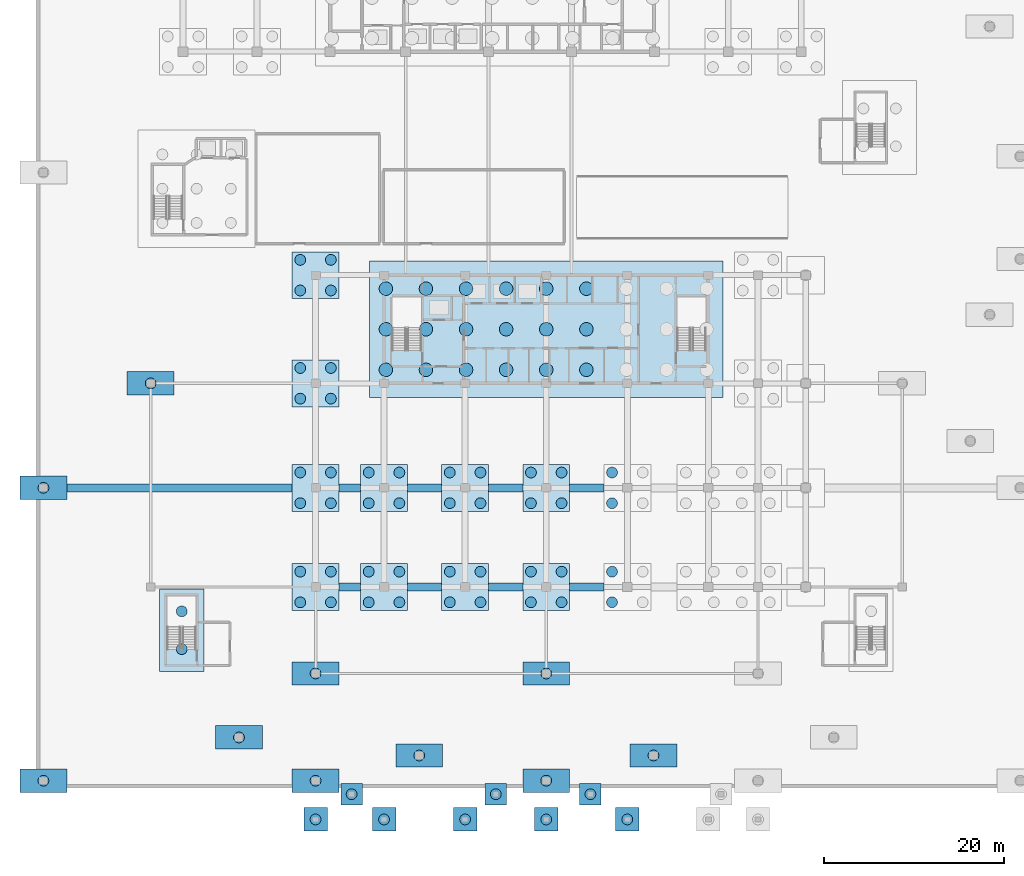
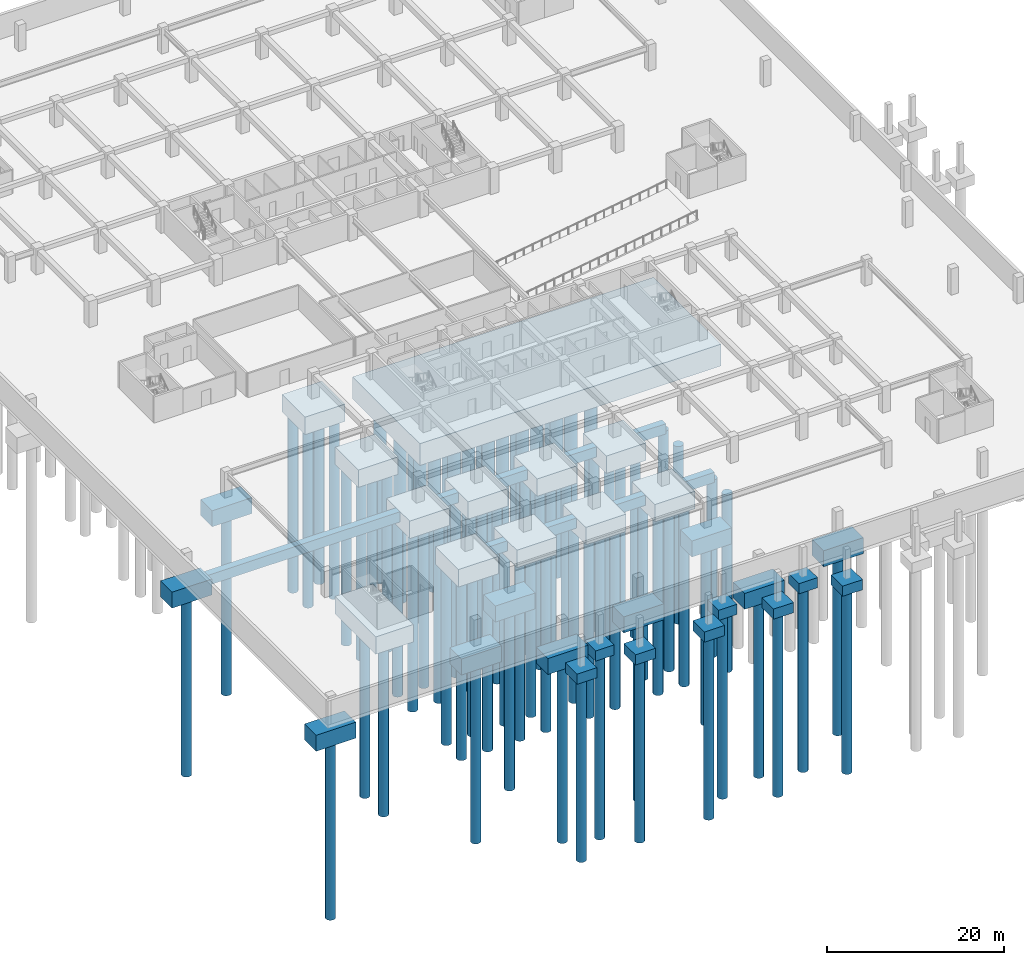
# One storey, part 1 of 26: 82 piles, 39 footings.
"""IFC4 building model written with IfcOpenShell, lengths in metres."""

from ifc_helpers import new_model, si_unit, direction, frame, origin, origin_2d, place, context, subcontext, project, spatial, polyline, circle, outline, extrude, material, layer, layer_set, material_profile, profile_set, type_object, element, save


model = new_model("IFC4")

# Units and contexts
model_context = context("Model", 3, precision=1e-05, world=origin(), true_north=direction((0.0, 1.0)))
body_context = subcontext(model_context, "Body", "Model", "MODEL_VIEW")
ifc_project = project(units=[si_unit("LENGTHUNIT", "METRE"), si_unit("AREAUNIT", "SQUARE_METRE"), si_unit("VOLUMEUNIT", "CUBIC_METRE"), si_unit("PLANEANGLEUNIT", "RADIAN"), si_unit("MASSUNIT", "GRAM", prefix="KILO")], contexts=[model_context])

# Site, building, storey
site_placement = place(None, origin())
site = spatial("IfcSite", under=ifc_project, at=site_placement, CompositionType="ELEMENT")
building_placement = place(site_placement, origin())
building = spatial("IfcBuilding", under=site, at=building_placement, Name="Korimba Cascade Residences", CompositionType="ELEMENT")
storey_placement = place(building_placement, frame((0.0, 0.0, -10.800048828125)))
storey = spatial("IfcBuildingStorey", under=building, at=storey_placement, Name="B03", CompositionType="ELEMENT", Elevation=-10.800048828125)

# Footings
ifc_material = material(Name="Concrete C50/60", Category="concrete")
ifc_layer_1 = layer(ifc_material, 1.39990234375)
ifc_layer_set_1 = layer_set([ifc_layer_1], Name="Concrete C50/60")
footing_type_1 = type_object("IfcFootingType", Name="GB-900X1400", PredefinedType="FOOTING_BEAM", material=ifc_layer_set_1)
footing_1_placement = place(storey_placement, frame((0.0, 0.0, -1.849853515625)))
element("IfcFooting", 1, at=footing_1_placement, inside=storey, type_object=footing_type_1, Name="Ground Tie Beam GB-018", PredefinedType="FOOTING_BEAM", context=body_context, shape_type="SweptSolid", body=[
    extrude(outline(polyline([(77.10009765625, -4.64990234375), (79.5, -4.64990234375), (79.5, -3.75), (77.10009765625, -3.75), (77.10009765625, -4.64990234375)])), origin(), (0.0, 0.0, 1.0), 1.39990234375),
])
footing_2_placement = place(storey_placement, frame((0.0, 0.0, -1.849853515625)))
element("IfcFooting", 2, at=footing_2_placement, inside=storey, type_object=footing_type_1, Name="Ground Tie Beam GB-019", PredefinedType="FOOTING_BEAM", context=body_context, shape_type="SweptSolid", body=[
    extrude(outline(polyline([(84.699951171875, -4.64990234375), (88.5, -4.64990234375), (88.5, -3.75), (84.699951171875, -3.75), (84.699951171875, -4.64990234375)])), origin(), (0.0, 0.0, 1.0), 1.39990234375),
])
footing_3_placement = place(storey_placement, frame((0.0, 0.0, -1.849853515625)))
element("IfcFooting", 3, at=footing_3_placement, inside=storey, type_object=footing_type_1, Name="Ground Tie Beam GB-020", PredefinedType="FOOTING_BEAM", context=body_context, shape_type="SweptSolid", body=[
    extrude(outline(polyline([(93.699951171875, -4.64990234375), (97.5, -4.64990234375), (97.5, -3.75), (93.699951171875, -3.75), (93.699951171875, -4.64990234375)])), origin(), (0.0, 0.0, 1.0), 1.39990234375),
])
footing_4_placement = place(storey_placement, frame((0.0, 0.0, -1.849853515625)))
element("IfcFooting", 4, at=footing_4_placement, inside=storey, type_object=footing_type_1, Name="Ground Tie Beam GB-021", PredefinedType="FOOTING_BEAM", context=body_context, shape_type="SweptSolid", body=[
    extrude(outline(polyline([(102.699951171875, -4.64990234375), (106.5, -4.64990234375), (106.5, -3.75), (102.699951171875, -3.75), (102.699951171875, -4.64990234375)])), origin(), (0.0, 0.0, 1.0), 1.39990234375),
])
footing_5_placement = place(storey_placement, frame((0.0, 0.0, -1.849853515625)))
element("IfcFooting", 5, at=footing_5_placement, inside=storey, type_object=footing_type_1, Name="Ground Tie Beam GB-023", PredefinedType="FOOTING_BEAM", context=body_context, shape_type="SweptSolid", body=[
    extrude(outline(polyline([(46.89990234375, 6.35009765625), (71.89990234375, 6.35009765625), (71.89990234375, 7.25), (46.89990234375, 7.25), (46.89990234375, 6.35009765625)])), origin(), (0.0, 0.0, 1.0), 1.39990234375),
])
footing_6_placement = place(storey_placement, frame((0.0, 0.0, -1.849853515625)))
element("IfcFooting", 6, at=footing_6_placement, inside=storey, type_object=footing_type_1, Name="Ground Tie Beam GB-024", PredefinedType="FOOTING_BEAM", context=body_context, shape_type="SweptSolid", body=[
    extrude(outline(polyline([(77.10009765625, 6.35009765625), (79.5, 6.35009765625), (79.5, 7.25), (77.10009765625, 7.25), (77.10009765625, 6.35009765625)])), origin(), (0.0, 0.0, 1.0), 1.39990234375),
])
footing_7_placement = place(storey_placement, frame((0.0, 0.0, -1.849853515625)))
element("IfcFooting", 7, at=footing_7_placement, inside=storey, type_object=footing_type_1, Name="Ground Tie Beam GB-025", PredefinedType="FOOTING_BEAM", context=body_context, shape_type="SweptSolid", body=[
    extrude(outline(polyline([(84.699951171875, 6.35009765625), (88.5, 6.35009765625), (88.5, 7.25), (84.699951171875, 7.25), (84.699951171875, 6.35009765625)])), origin(), (0.0, 0.0, 1.0), 1.39990234375),
])
footing_8_placement = place(storey_placement, frame((0.0, 0.0, -1.849853515625)))
element("IfcFooting", 8, at=footing_8_placement, inside=storey, type_object=footing_type_1, Name="Ground Tie Beam GB-026", PredefinedType="FOOTING_BEAM", context=body_context, shape_type="SweptSolid", body=[
    extrude(outline(polyline([(93.699951171875, 6.35009765625), (97.5, 6.35009765625), (97.5, 7.25), (93.699951171875, 7.25), (93.699951171875, 6.35009765625)])), origin(), (0.0, 0.0, 1.0), 1.39990234375),
])
footing_9_placement = place(storey_placement, frame((0.0, 0.0, -1.849853515625)))
element("IfcFooting", 9, at=footing_9_placement, inside=storey, type_object=footing_type_1, Name="Ground Tie Beam GB-027", PredefinedType="FOOTING_BEAM", context=body_context, shape_type="SweptSolid", body=[
    extrude(outline(polyline([(102.699951171875, 6.35009765625), (106.5, 6.35009765625), (106.5, 7.25), (102.699951171875, 7.25), (102.699951171875, 6.35009765625)])), origin(), (0.0, 0.0, 1.0), 1.39990234375),
])
ifc_layer_2 = layer(ifc_material, 1.39990234375)
ifc_layer_set_2 = layer_set([ifc_layer_2], Name="Concrete C50/60")
footing_type_2 = type_object("IfcFootingType", Name="PAD-CANOPY", PredefinedType="PAD_FOOTING", material=ifc_layer_set_2)
footing_10_placement = place(storey_placement, frame((0.0, 0.0, -1.849853515625)))
element("IfcFooting", 10, at=footing_10_placement, inside=storey, type_object=footing_type_2, Name="Porte-Cochere Pad Footing PF-1", PredefinedType="PAD_FOOTING", context=body_context, shape_type="SweptSolid", body=[
    extrude(outline(polyline([(73.199951171875, -31.300048828125), (75.800048828125, -31.300048828125), (75.800048828125, -28.699951171875), (73.199951171875, -28.699951171875), (73.199951171875, -31.300048828125)])), origin(), (0.0, 0.0, 1.0), 1.39990234375),
])
footing_11_placement = place(storey_placement, frame((0.0, 0.0, -1.849853515625)))
element("IfcFooting", 11, at=footing_11_placement, inside=storey, type_object=footing_type_2, Name="Porte-Cochere Pad Footing PF-2", PredefinedType="PAD_FOOTING", context=body_context, shape_type="SweptSolid", body=[
    extrude(outline(polyline([(80.800048828125, -31.300048828125), (83.39990234375, -31.300048828125), (83.39990234375, -28.699951171875), (80.800048828125, -28.699951171875), (80.800048828125, -31.300048828125)])), origin(), (0.0, 0.0, 1.0), 1.39990234375),
])
footing_12_placement = place(storey_placement, frame((0.0, 0.0, -1.849853515625)))
element("IfcFooting", 12, at=footing_12_placement, inside=storey, type_object=footing_type_2, Name="Porte-Cochere Pad Footing PF-3", PredefinedType="PAD_FOOTING", context=body_context, shape_type="SweptSolid", body=[
    extrude(outline(polyline([(89.800048828125, -31.300048828125), (92.39990234375, -31.300048828125), (92.39990234375, -28.699951171875), (89.800048828125, -28.699951171875), (89.800048828125, -31.300048828125)])), origin(), (0.0, 0.0, 1.0), 1.39990234375),
])
footing_13_placement = place(storey_placement, frame((0.0, 0.0, -1.849853515625)))
element("IfcFooting", 13, at=footing_13_placement, inside=storey, type_object=footing_type_2, Name="Porte-Cochere Pad Footing PF-4", PredefinedType="PAD_FOOTING", context=body_context, shape_type="SweptSolid", body=[
    extrude(outline(polyline([(98.800048828125, -31.300048828125), (101.39990234375, -31.300048828125), (101.39990234375, -28.699951171875), (98.800048828125, -28.699951171875), (98.800048828125, -31.300048828125)])), origin(), (0.0, 0.0, 1.0), 1.39990234375),
])
footing_14_placement = place(storey_placement, frame((0.0, 0.0, -1.849853515625)))
element("IfcFooting", 14, at=footing_14_placement, inside=storey, type_object=footing_type_2, Name="Porte-Cochere Pad Footing PF-5", PredefinedType="PAD_FOOTING", context=body_context, shape_type="SweptSolid", body=[
    extrude(outline(polyline([(107.800048828125, -31.300048828125), (110.39990234375, -31.300048828125), (110.39990234375, -28.699951171875), (107.800048828125, -28.699951171875), (107.800048828125, -31.300048828125)])), origin(), (0.0, 0.0, 1.0), 1.39990234375),
])
footing_15_placement = place(storey_placement, frame((0.0, 0.0, -1.849853515625)))
element("IfcFooting", 15, at=footing_15_placement, inside=storey, type_object=footing_type_2, Name="Plaza Pad Footing PLZS1A", PredefinedType="PAD_FOOTING", context=body_context, shape_type="SweptSolid", body=[
    extrude(outline(polyline([(77.300048828125, -28.39990234375), (79.699951171875, -28.39990234375), (79.699951171875, -26.0), (77.300048828125, -26.0), (77.300048828125, -28.39990234375)])), origin(), (0.0, 0.0, 1.0), 1.39990234375),
])
footing_16_placement = place(storey_placement, frame((0.0, 0.0, -1.849853515625)))
element("IfcFooting", 16, at=footing_16_placement, inside=storey, type_object=footing_type_2, Name="Plaza Pad Footing PLZS1B", PredefinedType="PAD_FOOTING", context=body_context, shape_type="SweptSolid", body=[
    extrude(outline(polyline([(93.300048828125, -28.39990234375), (95.699951171875, -28.39990234375), (95.699951171875, -26.0), (93.300048828125, -26.0), (93.300048828125, -28.39990234375)])), origin(), (0.0, 0.0, 1.0), 1.39990234375),
])
footing_17_placement = place(storey_placement, frame((0.0, 0.0, -1.849853515625)))
element("IfcFooting", 17, at=footing_17_placement, inside=storey, type_object=footing_type_2, Name="Plaza Pad Footing PLZS2A", PredefinedType="PAD_FOOTING", context=body_context, shape_type="SweptSolid", body=[
    extrude(outline(polyline([(103.800048828125, -28.39990234375), (106.199951171875, -28.39990234375), (106.199951171875, -26.0), (103.800048828125, -26.0), (103.800048828125, -28.39990234375)])), origin(), (0.0, 0.0, 1.0), 1.39990234375),
])
ifc_layer_3 = layer(ifc_material, 2.199951171875)
ifc_layer_set_3 = layer_set([ifc_layer_3], Name="Concrete C50/60")
footing_type_3 = type_object("IfcFootingType", Name="PC-2PILE-P", PredefinedType="PILE_CAP", material=ifc_layer_set_3)
footing_18_placement = place(storey_placement, frame((0.0, 0.0, -2.64990234375)))
element("IfcFooting", 18, at=footing_18_placement, inside=storey, type_object=footing_type_3, Name="Column Pile Cap FTG-PC-042", PredefinedType="PILE_CAP", context=body_context, shape_type="SweptSolid", body=[
    extrude(outline(polyline([(53.60009765625, 17.10009765625), (58.800048828125, 17.10009765625), (58.800048828125, 19.699951171875), (53.60009765625, 19.699951171875), (53.60009765625, 17.10009765625)])), origin(), (0.0, 0.0, 1.0), 2.199951171875),
])
footing_19_placement = place(storey_placement, frame((0.0, 0.0, -2.64990234375)))
element("IfcFooting", 19, at=footing_19_placement, inside=storey, type_object=footing_type_3, Name="Column Pile Cap FTG-PC-045", PredefinedType="PILE_CAP", context=body_context, shape_type="SweptSolid", body=[
    extrude(outline(polyline([(71.89990234375, -15.10009765625), (77.10009765625, -15.10009765625), (77.10009765625, -12.5), (71.89990234375, -12.5), (71.89990234375, -15.10009765625)])), origin(), (0.0, 0.0, 1.0), 2.199951171875),
])
footing_20_placement = place(storey_placement, frame((0.0, 0.0, -2.64990234375)))
element("IfcFooting", 20, at=footing_20_placement, inside=storey, type_object=footing_type_3, Name="Column Pile Cap FTG-PC-046", PredefinedType="PILE_CAP", context=body_context, shape_type="SweptSolid", body=[
    extrude(outline(polyline([(97.5, -15.10009765625), (102.699951171875, -15.10009765625), (102.699951171875, -12.5), (97.5, -12.5), (97.5, -15.10009765625)])), origin(), (0.0, 0.0, 1.0), 2.199951171875),
])
footing_21_placement = place(storey_placement, frame((0.0, 0.0, -2.64990234375)))
element("IfcFooting", 21, at=footing_21_placement, inside=storey, type_object=footing_type_3, Name="Column Pile Cap FTG-PC-051", PredefinedType="PILE_CAP", context=body_context, shape_type="SweptSolid", body=[
    extrude(outline(polyline([(83.39990234375, -24.199951171875), (88.60009765625, -24.199951171875), (88.60009765625, -21.60009765625), (83.39990234375, -21.60009765625), (83.39990234375, -24.199951171875)])), origin(), (0.0, 0.0, 1.0), 2.199951171875),
])
footing_22_placement = place(storey_placement, frame((0.0, 0.0, -2.64990234375)))
element("IfcFooting", 22, at=footing_22_placement, inside=storey, type_object=footing_type_3, Name="Column Pile Cap FTG-PC-052", PredefinedType="PILE_CAP", context=body_context, shape_type="SweptSolid", body=[
    extrude(outline(polyline([(109.39990234375, -24.199951171875), (114.60009765625, -24.199951171875), (114.60009765625, -21.60009765625), (109.39990234375, -21.60009765625), (109.39990234375, -24.199951171875)])), origin(), (0.0, 0.0, 1.0), 2.199951171875),
])
footing_23_placement = place(storey_placement, frame((0.0, 0.0, -2.64990234375)))
element("IfcFooting", 23, at=footing_23_placement, inside=storey, type_object=footing_type_3, Name="Column Pile Cap FTG-PC-053", PredefinedType="PILE_CAP", context=body_context, shape_type="SweptSolid", body=[
    extrude(outline(polyline([(63.39990234375, -22.199951171875), (68.60009765625, -22.199951171875), (68.60009765625, -19.60009765625), (63.39990234375, -19.60009765625), (63.39990234375, -22.199951171875)])), origin(), (0.0, 0.0, 1.0), 2.199951171875),
])
footing_24_placement = place(storey_placement, frame((0.0, 0.0, -2.64990234375)))
element("IfcFooting", 24, at=footing_24_placement, inside=storey, type_object=footing_type_3, Name="Column Pile Cap FTG-PC-063", PredefinedType="PILE_CAP", context=body_context, shape_type="SweptSolid", body=[
    extrude(outline(polyline([(41.699951171875, -27.0), (46.89990234375, -27.0), (46.89990234375, -24.39990234375), (41.699951171875, -24.39990234375), (41.699951171875, -27.0)])), origin(), (0.0, 0.0, 1.0), 2.199951171875),
])
footing_25_placement = place(storey_placement, frame((0.0, 0.0, -2.64990234375)))
element("IfcFooting", 25, at=footing_25_placement, inside=storey, type_object=footing_type_3, Name="Column Pile Cap FTG-PC-064", PredefinedType="PILE_CAP", context=body_context, shape_type="SweptSolid", body=[
    extrude(outline(polyline([(41.699951171875, 5.5), (46.89990234375, 5.5), (46.89990234375, 8.10009765625), (41.699951171875, 8.10009765625), (41.699951171875, 5.5)])), origin(), (0.0, 0.0, 1.0), 2.199951171875),
])
footing_26_placement = place(storey_placement, frame((0.0, 0.0, -2.64990234375)))
element("IfcFooting", 26, at=footing_26_placement, inside=storey, type_object=footing_type_3, Name="Column Pile Cap FTG-PC-074", PredefinedType="PILE_CAP", context=body_context, shape_type="SweptSolid", body=[
    extrude(outline(polyline([(71.89990234375, -27.0), (77.10009765625, -27.0), (77.10009765625, -24.39990234375), (71.89990234375, -24.39990234375), (71.89990234375, -27.0)])), origin(), (0.0, 0.0, 1.0), 2.199951171875),
])
footing_27_placement = place(storey_placement, frame((0.0, 0.0, -2.64990234375)))
element("IfcFooting", 27, at=footing_27_placement, inside=storey, type_object=footing_type_3, Name="Column Pile Cap FTG-PC-075", PredefinedType="PILE_CAP", context=body_context, shape_type="SweptSolid", body=[
    extrude(outline(polyline([(97.5, -27.0), (102.699951171875, -27.0), (102.699951171875, -24.39990234375), (97.5, -24.39990234375), (97.5, -27.0)])), origin(), (0.0, 0.0, 1.0), 2.199951171875),
])
ifc_layer_4 = layer(ifc_material, 2.39990234375)
ifc_layer_set_4 = layer_set([ifc_layer_4], Name="Concrete C50/60")
footing_type_4 = type_object("IfcFootingType", Name="PC-4PILE", PredefinedType="PILE_CAP", material=ifc_layer_set_4)
footing_28_placement = place(storey_placement, frame((0.0, 0.0, -2.849853515625)))
element("IfcFooting", 28, at=footing_28_placement, inside=storey, type_object=footing_type_4, Name="Column Pile Cap FTG-PC-024", PredefinedType="PILE_CAP", context=body_context, shape_type="SweptSolid", body=[
    extrude(outline(polyline([(71.89990234375, -6.800048828125), (77.10009765625, -6.800048828125), (77.10009765625, -1.60009765625), (71.89990234375, -1.60009765625), (71.89990234375, -6.800048828125)])), origin(), (0.0, 0.0, 1.0), 2.39990234375),
])
footing_29_placement = place(storey_placement, frame((0.0, 0.0, -2.849853515625)))
element("IfcFooting", 29, at=footing_29_placement, inside=storey, type_object=footing_type_4, Name="Column Pile Cap FTG-PC-025", PredefinedType="PILE_CAP", context=body_context, shape_type="SweptSolid", body=[
    extrude(outline(polyline([(71.89990234375, 4.199951171875), (77.10009765625, 4.199951171875), (77.10009765625, 9.39990234375), (71.89990234375, 9.39990234375), (71.89990234375, 4.199951171875)])), origin(), (0.0, 0.0, 1.0), 2.39990234375),
])
footing_30_placement = place(storey_placement, frame((0.0, 0.0, -2.849853515625)))
element("IfcFooting", 30, at=footing_30_placement, inside=storey, type_object=footing_type_4, Name="Column Pile Cap FTG-PC-026", PredefinedType="PILE_CAP", context=body_context, shape_type="SweptSolid", body=[
    extrude(outline(polyline([(71.89990234375, 15.800048828125), (77.10009765625, 15.800048828125), (77.10009765625, 21.0), (71.89990234375, 21.0), (71.89990234375, 15.800048828125)])), origin(), (0.0, 0.0, 1.0), 2.39990234375),
])
footing_31_placement = place(storey_placement, frame((0.0, 0.0, -2.849853515625)))
element("IfcFooting", 31, at=footing_31_placement, inside=storey, type_object=footing_type_4, Name="Column Pile Cap FTG-PC-027", PredefinedType="PILE_CAP", context=body_context, shape_type="SweptSolid", body=[
    extrude(outline(polyline([(71.89990234375, 27.800048828125), (77.10009765625, 27.800048828125), (77.10009765625, 33.0), (71.89990234375, 33.0), (71.89990234375, 27.800048828125)])), origin(), (0.0, 0.0, 1.0), 2.39990234375),
])
footing_32_placement = place(storey_placement, frame((0.0, 0.0, -2.849853515625)))
element("IfcFooting", 32, at=footing_32_placement, inside=storey, type_object=footing_type_4, Name="Column Pile Cap FTG-PC-028", PredefinedType="PILE_CAP", context=body_context, shape_type="SweptSolid", body=[
    extrude(outline(polyline([(79.5, -6.800048828125), (84.699951171875, -6.800048828125), (84.699951171875, -1.60009765625), (79.5, -1.60009765625), (79.5, -6.800048828125)])), origin(), (0.0, 0.0, 1.0), 2.39990234375),
])
footing_33_placement = place(storey_placement, frame((0.0, 0.0, -2.849853515625)))
element("IfcFooting", 33, at=footing_33_placement, inside=storey, type_object=footing_type_4, Name="Column Pile Cap FTG-PC-029", PredefinedType="PILE_CAP", context=body_context, shape_type="SweptSolid", body=[
    extrude(outline(polyline([(79.5, 4.199951171875), (84.699951171875, 4.199951171875), (84.699951171875, 9.39990234375), (79.5, 9.39990234375), (79.5, 4.199951171875)])), origin(), (0.0, 0.0, 1.0), 2.39990234375),
])
footing_34_placement = place(storey_placement, frame((0.0, 0.0, -2.849853515625)))
element("IfcFooting", 34, at=footing_34_placement, inside=storey, type_object=footing_type_4, Name="Column Pile Cap FTG-PC-030", PredefinedType="PILE_CAP", context=body_context, shape_type="SweptSolid", body=[
    extrude(outline(polyline([(88.5, -6.800048828125), (93.699951171875, -6.800048828125), (93.699951171875, -1.60009765625), (88.5, -1.60009765625), (88.5, -6.800048828125)])), origin(), (0.0, 0.0, 1.0), 2.39990234375),
])
footing_35_placement = place(storey_placement, frame((0.0, 0.0, -2.849853515625)))
element("IfcFooting", 35, at=footing_35_placement, inside=storey, type_object=footing_type_4, Name="Column Pile Cap FTG-PC-031", PredefinedType="PILE_CAP", context=body_context, shape_type="SweptSolid", body=[
    extrude(outline(polyline([(88.5, 4.199951171875), (93.699951171875, 4.199951171875), (93.699951171875, 9.39990234375), (88.5, 9.39990234375), (88.5, 4.199951171875)])), origin(), (0.0, 0.0, 1.0), 2.39990234375),
])
footing_36_placement = place(storey_placement, frame((0.0, 0.0, -2.849853515625)))
element("IfcFooting", 36, at=footing_36_placement, inside=storey, type_object=footing_type_4, Name="Column Pile Cap FTG-PC-032", PredefinedType="PILE_CAP", context=body_context, shape_type="SweptSolid", body=[
    extrude(outline(polyline([(97.5, -6.800048828125), (102.699951171875, -6.800048828125), (102.699951171875, -1.60009765625), (97.5, -1.60009765625), (97.5, -6.800048828125)])), origin(), (0.0, 0.0, 1.0), 2.39990234375),
])
footing_37_placement = place(storey_placement, frame((0.0, 0.0, -2.849853515625)))
element("IfcFooting", 37, at=footing_37_placement, inside=storey, type_object=footing_type_4, Name="Column Pile Cap FTG-PC-033", PredefinedType="PILE_CAP", context=body_context, shape_type="SweptSolid", body=[
    extrude(outline(polyline([(97.5, 4.199951171875), (102.699951171875, 4.199951171875), (102.699951171875, 9.39990234375), (97.5, 9.39990234375), (97.5, 4.199951171875)])), origin(), (0.0, 0.0, 1.0), 2.39990234375),
])

# Piles
ifc_material_profile_1 = material_profile(ifc_material, circle(Radius=0.60009765625, at=origin_2d()), Name="Concrete C50/60")
ifc_profile_set_1 = profile_set([ifc_material_profile_1], Name="Concrete C50/60")
pile_type_1 = type_object("IfcPileType", Name="PILE-D1200", PredefinedType="BORED", material=ifc_profile_set_1)
for number, where, z_axis, x_axis, name in (
    (38, (59.64990234375, -11.10009765625, -2.75), (0.0, 0.0, -1.0), (1.0, 0.0, 0.0), "Podium Core Bored Pile P3 1.1"),
    (39, (59.64990234375, -6.89990234375, -2.75), (0.0, 0.0, -1.0), (1.0, 0.0, 0.0), "Podium Core Bored Pile P3 1.2"),
    (40, (72.800048828125, -5.89990234375, -2.75), (0.0, 0.0, -1.0), (1.0, 0.0, 0.0), "Cap Bored Pile FTG-PC-024.1"),
    (41, (76.199951171875, -5.89990234375, -2.75), (0.0, 0.0, -1.0), (1.0, 0.0, 0.0), "Cap Bored Pile FTG-PC-024.2"),
    (42, (72.800048828125, -2.5, -2.75), (0.0, 0.0, -1.0), (1.0, 0.0, 0.0), "Cap Bored Pile FTG-PC-024.3"),
    (43, (76.199951171875, -2.5, -2.75), (0.0, 0.0, -1.0), (1.0, 0.0, 0.0), "Cap Bored Pile FTG-PC-024.4"),
    (44, (72.800048828125, 5.10009765625, -2.75), (0.0, 0.0, -1.0), (1.0, 0.0, 0.0), "Cap Bored Pile FTG-PC-025.1"),
    (45, (76.199951171875, 5.10009765625, -2.75), (0.0, 0.0, -1.0), (1.0, 0.0, 0.0), "Cap Bored Pile FTG-PC-025.2"),
    (46, (72.800048828125, 8.5, -2.75), (0.0, 0.0, -1.0), (1.0, 0.0, 0.0), "Cap Bored Pile FTG-PC-025.3"),
    (47, (76.199951171875, 8.5, -2.75), (0.0, 0.0, -1.0), (1.0, 0.0, 0.0), "Cap Bored Pile FTG-PC-025.4"),
    (48, (72.800048828125, 16.699951171875, -2.75), (0.0, 0.0, -1.0), (1.0, 0.0, 0.0), "Cap Bored Pile FTG-PC-026.1"),
    (49, (76.199951171875, 16.699951171875, -2.75), (0.0, 0.0, -1.0), (1.0, 0.0, 0.0), "Cap Bored Pile FTG-PC-026.2"),
    (50, (72.800048828125, 20.10009765625, -2.75), (0.0, 0.0, -1.0), (1.0, 0.0, 0.0), "Cap Bored Pile FTG-PC-026.3"),
    (51, (76.199951171875, 20.10009765625, -2.75), (0.0, 0.0, -1.0), (1.0, 0.0, 0.0), "Cap Bored Pile FTG-PC-026.4"),
    (52, (72.800048828125, 28.699951171875, -2.75), (0.0, 0.0, -1.0), (1.0, 0.0, 0.0), "Cap Bored Pile FTG-PC-027.1"),
    (53, (76.199951171875, 28.699951171875, -2.75), (0.0, 0.0, -1.0), (1.0, 0.0, 0.0), "Cap Bored Pile FTG-PC-027.2"),
    (54, (72.800048828125, 32.10009765625, -2.75), (0.0, 0.0, -1.0), (1.0, 0.0, 0.0), "Cap Bored Pile FTG-PC-027.3"),
    (55, (76.199951171875, 32.10009765625, -2.75), (0.0, 0.0, -1.0), (1.0, 0.0, 0.0), "Cap Bored Pile FTG-PC-027.4"),
    (56, (80.39990234375, -5.89990234375, -2.75), (0.0, 0.0, -1.0), (1.0, 0.0, 0.0), "Cap Bored Pile FTG-PC-028.1"),
    (57, (83.800048828125, -5.89990234375, -2.75), (0.0, 0.0, -1.0), (1.0, 0.0, 0.0), "Cap Bored Pile FTG-PC-028.2"),
    (58, (80.39990234375, -2.5, -2.75), (0.0, 0.0, -1.0), (1.0, 0.0, 0.0), "Cap Bored Pile FTG-PC-028.3"),
    (59, (83.800048828125, -2.5, -2.75), (0.0, 0.0, -1.0), (1.0, 0.0, 0.0), "Cap Bored Pile FTG-PC-028.4"),
    (60, (80.39990234375, 5.10009765625, -2.75), (0.0, 0.0, -1.0), (1.0, 0.0, 0.0), "Cap Bored Pile FTG-PC-029.1"),
    (61, (83.800048828125, 5.10009765625, -2.75), (0.0, 0.0, -1.0), (1.0, 0.0, 0.0), "Cap Bored Pile FTG-PC-029.2"),
    (62, (80.39990234375, 8.5, -2.75), (0.0, 0.0, -1.0), (1.0, 0.0, 0.0), "Cap Bored Pile FTG-PC-029.3"),
    (63, (83.800048828125, 8.5, -2.75), (0.0, 0.0, -1.0), (1.0, 0.0, 0.0), "Cap Bored Pile FTG-PC-029.4"),
    (64, (89.39990234375, -5.89990234375, -2.75), (0.0, 0.0, -1.0), (1.0, 0.0, 0.0), "Cap Bored Pile FTG-PC-030.1"),
    (65, (92.800048828125, -5.89990234375, -2.75), (0.0, 0.0, -1.0), (1.0, 0.0, 0.0), "Cap Bored Pile FTG-PC-030.2"),
    (66, (89.39990234375, -2.5, -2.75), (0.0, 0.0, -1.0), (1.0, 0.0, 0.0), "Cap Bored Pile FTG-PC-030.3"),
    (67, (92.800048828125, -2.5, -2.75), (0.0, 0.0, -1.0), (1.0, 0.0, 0.0), "Cap Bored Pile FTG-PC-030.4"),
    (68, (89.39990234375, 5.10009765625, -2.75), (0.0, 0.0, -1.0), (1.0, 0.0, 0.0), "Cap Bored Pile FTG-PC-031.1"),
    (69, (92.800048828125, 5.10009765625, -2.75), (0.0, 0.0, -1.0), (1.0, 0.0, 0.0), "Cap Bored Pile FTG-PC-031.2"),
    (70, (89.39990234375, 8.5, -2.75), (0.0, 0.0, -1.0), (1.0, 0.0, 0.0), "Cap Bored Pile FTG-PC-031.3"),
    (71, (92.800048828125, 8.5, -2.75), (0.0, 0.0, -1.0), (1.0, 0.0, 0.0), "Cap Bored Pile FTG-PC-031.4"),
    (72, (98.39990234375, -5.89990234375, -2.75), (0.0, 0.0, -1.0), (1.0, 0.0, 0.0), "Cap Bored Pile FTG-PC-032.1"),
    (73, (101.800048828125, -5.89990234375, -2.75), (0.0, 0.0, -1.0), (1.0, 0.0, 0.0), "Cap Bored Pile FTG-PC-032.2"),
    (74, (98.39990234375, -2.5, -2.75), (0.0, 0.0, -1.0), (1.0, 0.0, 0.0), "Cap Bored Pile FTG-PC-032.3"),
    (75, (101.800048828125, -2.5, -2.75), (0.0, 0.0, -1.0), (1.0, 0.0, 0.0), "Cap Bored Pile FTG-PC-032.4"),
    (76, (98.39990234375, 5.10009765625, -2.75), (0.0, 0.0, -1.0), (1.0, 0.0, 0.0), "Cap Bored Pile FTG-PC-033.1"),
    (77, (101.800048828125, 5.10009765625, -2.75), (0.0, 0.0, -1.0), (1.0, 0.0, 0.0), "Cap Bored Pile FTG-PC-033.2"),
    (78, (98.39990234375, 8.5, -2.75), (0.0, 0.0, -1.0), (1.0, 0.0, 0.0), "Cap Bored Pile FTG-PC-033.3"),
    (79, (101.800048828125, 8.5, -2.75), (0.0, 0.0, -1.0), (1.0, 0.0, 0.0), "Cap Bored Pile FTG-PC-033.4"),
    (80, (107.39990234375, -5.89990234375, -2.75), (0.0, 0.0, -1.0), (1.0, 0.0, 0.0), "Cap Bored Pile FTG-PC-034.1"),
    (81, (107.39990234375, -2.5, -2.75), (0.0, 0.0, -1.0), (1.0, 0.0, 0.0), "Cap Bored Pile FTG-PC-034.3"),
    (82, (107.39990234375, 5.10009765625, -2.75), (0.0, 0.0, -1.0), (1.0, 0.0, 0.0), "Cap Bored Pile FTG-PC-035.1"),
    (83, (107.39990234375, 8.5, -2.75), (0.0, 0.0, -1.0), (1.0, 0.0, 0.0), "Cap Bored Pile FTG-PC-035.3"),
):
    element("IfcPile", number, at=place(storey_placement, frame(where, z_axis=z_axis, x_axis=x_axis)), inside=storey, type_object=pile_type_1, Name=name, PredefinedType="BORED", context=body_context, shape_type="SweptSolid", body=[
        extrude(circle(Radius=0.60009765625, at=origin_2d()), origin(), (0.0, 0.0, 1.0), 24.449951171875),
    ])
for number, where, z_axis, x_axis, name in (
    (84, (56.199951171875, 18.39990234375, -2.550048828125), (0.0, 0.0, -1.0), (1.0, 0.0, 0.0), "Cap Bored Pile FTG-PC-042.1"),
    (85, (74.5, -13.800048828125, -2.550048828125), (0.0, 0.0, -1.0), (1.0, 0.0, 0.0), "Cap Bored Pile FTG-PC-045.1"),
    (86, (100.10009765625, -13.800048828125, -2.550048828125), (0.0, 0.0, -1.0), (1.0, 0.0, 0.0), "Cap Bored Pile FTG-PC-046.1"),
    (87, (86.0, -22.89990234375, -2.550048828125), (0.0, 0.0, -1.0), (1.0, 0.0, 0.0), "Cap Bored Pile FTG-PC-051.1"),
    (88, (112.0, -22.89990234375, -2.550048828125), (0.0, 0.0, -1.0), (1.0, 0.0, 0.0), "Cap Bored Pile FTG-PC-052.1"),
    (89, (66.0, -20.89990234375, -2.550048828125), (0.0, 0.0, -1.0), (1.0, 0.0, 0.0), "Cap Bored Pile FTG-PC-053.1"),
    (90, (44.300048828125, -25.699951171875, -2.550048828125), (0.0, 0.0, -1.0), (1.0, 0.0, 0.0), "Cap Bored Pile FTG-PC-063.1"),
    (91, (44.300048828125, 6.800048828125, -2.550048828125), (0.0, 0.0, -1.0), (1.0, 0.0, 0.0), "Cap Bored Pile FTG-PC-064.1"),
    (92, (74.5, -25.699951171875, -2.550048828125), (0.0, 0.0, -1.0), (1.0, 0.0, 0.0), "Cap Bored Pile FTG-PC-074.1"),
    (93, (100.10009765625, -25.699951171875, -2.550048828125), (0.0, 0.0, -1.0), (1.0, 0.0, 0.0), "Cap Bored Pile FTG-PC-075.1"),
):
    element("IfcPile", number, at=place(storey_placement, frame(where, z_axis=z_axis, x_axis=x_axis)), inside=storey, type_object=pile_type_1, Name=name, PredefinedType="BORED", context=body_context, shape_type="SweptSolid", body=[
        extrude(circle(Radius=0.60009765625, at=origin_2d()), origin(), (0.0, 0.0, 1.0), 24.64990234375),
    ])
for number, where, z_axis, x_axis, name in (
    (94, (74.5, -30.0, -1.75), (0.0, 0.0, -1.0), (1.0, 0.0, 0.0), "Porte-Cochere Pile 1"),
    (95, (82.10009765625, -30.0, -1.75), (0.0, 0.0, -1.0), (1.0, 0.0, 0.0), "Porte-Cochere Pile 2"),
    (96, (91.10009765625, -30.0, -1.75), (0.0, 0.0, -1.0), (1.0, 0.0, 0.0), "Porte-Cochere Pile 3"),
    (97, (100.10009765625, -30.0, -1.75), (0.0, 0.0, -1.0), (1.0, 0.0, 0.0), "Porte-Cochere Pile 4"),
    (98, (109.10009765625, -30.0, -1.75), (0.0, 0.0, -1.0), (1.0, 0.0, 0.0), "Porte-Cochere Pile 5"),
    (99, (78.5, -27.199951171875, -1.75), (0.0, 0.0, -1.0), (1.0, 0.0, 0.0), "Plaza Pile PLZS1A"),
    (100, (94.5, -27.199951171875, -1.75), (0.0, 0.0, -1.0), (1.0, 0.0, 0.0), "Plaza Pile PLZS1B"),
    (101, (105.0, -27.199951171875, -1.75), (0.0, 0.0, -1.0), (1.0, 0.0, 0.0), "Plaza Pile PLZS2A"),
):
    element("IfcPile", number, at=place(storey_placement, frame(where, z_axis=z_axis, x_axis=x_axis)), inside=storey, type_object=pile_type_1, Name=name, PredefinedType="BORED", context=body_context, shape_type="SweptSolid", body=[
        extrude(circle(Radius=0.60009765625, at=origin_2d()), origin(), (0.0, 0.0, 1.0), 25.449951171875),
    ])
ifc_material_profile_2 = material_profile(ifc_material, circle(Radius=0.75, at=origin_2d()), Name="Concrete C50/60")
ifc_profile_set_2 = profile_set([ifc_material_profile_2], Name="Concrete C50/60")
pile_type_2 = type_object("IfcPileType", Name="PILE-D1500", PredefinedType="BORED", material=ifc_profile_set_2)
for number, where, z_axis, x_axis, name in (
    (102, (82.300048828125, 19.89990234375, -3.349853515625), (0.0, 0.0, -1.0), (1.0, 0.0, 0.0), "Core Bored Pile CR-E 28"),
    (103, (82.300048828125, 24.39990234375, -3.349853515625), (0.0, 0.0, -1.0), (1.0, 0.0, 0.0), "Core Bored Pile CR-E 29"),
    (104, (82.300048828125, 28.89990234375, -3.349853515625), (0.0, 0.0, -1.0), (1.0, 0.0, 0.0), "Core Bored Pile CR-E 30"),
    (105, (86.75, 19.89990234375, -3.349853515625), (0.0, 0.0, -1.0), (1.0, 0.0, 0.0), "Core Bored Pile CR-E 31"),
    (106, (86.75, 24.39990234375, -3.349853515625), (0.0, 0.0, -1.0), (1.0, 0.0, 0.0), "Core Bored Pile CR-E 32"),
    (107, (86.75, 28.89990234375, -3.349853515625), (0.0, 0.0, -1.0), (1.0, 0.0, 0.0), "Core Bored Pile CR-E 33"),
    (108, (91.199951171875, 19.89990234375, -3.349853515625), (0.0, 0.0, -1.0), (1.0, 0.0, 0.0), "Core Bored Pile CR-E 34"),
    (109, (91.199951171875, 24.39990234375, -3.349853515625), (0.0, 0.0, -1.0), (1.0, 0.0, 0.0), "Core Bored Pile CR-E 35"),
    (110, (91.199951171875, 28.89990234375, -3.349853515625), (0.0, 0.0, -1.0), (1.0, 0.0, 0.0), "Core Bored Pile CR-E 36"),
    (111, (95.64990234375, 19.89990234375, -3.349853515625), (0.0, 0.0, -1.0), (1.0, 0.0, 0.0), "Core Bored Pile CR-E 37"),
    (112, (95.64990234375, 24.39990234375, -3.349853515625), (0.0, 0.0, -1.0), (1.0, 0.0, 0.0), "Core Bored Pile CR-E 38"),
    (113, (95.64990234375, 28.89990234375, -3.349853515625), (0.0, 0.0, -1.0), (1.0, 0.0, 0.0), "Core Bored Pile CR-E 39"),
    (114, (100.10009765625, 19.89990234375, -3.349853515625), (0.0, 0.0, -1.0), (1.0, 0.0, 0.0), "Core Bored Pile CR-E 40"),
    (115, (100.10009765625, 24.39990234375, -3.349853515625), (0.0, 0.0, -1.0), (1.0, 0.0, 0.0), "Core Bored Pile CR-E 41"),
    (116, (100.10009765625, 28.89990234375, -3.349853515625), (0.0, 0.0, -1.0), (1.0, 0.0, 0.0), "Core Bored Pile CR-E 42"),
    (117, (104.550048828125, 19.89990234375, -3.349853515625), (0.0, 0.0, -1.0), (1.0, 0.0, 0.0), "Core Bored Pile CR-E 43"),
    (118, (104.550048828125, 24.39990234375, -3.349853515625), (0.0, 0.0, -1.0), (1.0, 0.0, 0.0), "Core Bored Pile CR-E 44"),
    (119, (104.550048828125, 28.89990234375, -3.349853515625), (0.0, 0.0, -1.0), (1.0, 0.0, 0.0), "Core Bored Pile CR-E 45"),
):
    element("IfcPile", number, at=place(storey_placement, frame(where, z_axis=z_axis, x_axis=x_axis)), inside=storey, type_object=pile_type_2, Name=name, PredefinedType="BORED", context=body_context, shape_type="SweptSolid", body=[
        extrude(circle(Radius=0.75, at=origin_2d()), origin(), (0.0, 0.0, 1.0), 23.85009765625),
    ])

# Footings
ifc_layer_5 = layer(ifc_material, 3.0)
ifc_layer_set_5 = layer_set([ifc_layer_5], Name="Concrete C50/60")
footing_type_5 = type_object("IfcFootingType", Name="RAFT-CORE-E", PredefinedType="PILE_CAP", material=ifc_layer_set_5)
footing_38_placement = place(storey_placement, frame((0.0, 0.0, -3.449951171875)))
element("IfcFooting", 120, at=footing_38_placement, inside=storey, type_object=footing_type_5, Name="Piled Raft CR-E", PredefinedType="PILE_CAP", context=body_context, shape_type="SweptSolid", body=[
    extrude(outline(polyline([(80.5, 16.800048828125), (119.699951171875, 16.800048828125), (119.699951171875, 32.0), (80.5, 32.0), (80.5, 16.800048828125)])), origin(), (0.0, 0.0, 1.0), 3.0),
])
ifc_layer_6 = layer(ifc_material, 2.39990234375)
ifc_layer_set_6 = layer_set([ifc_layer_6], Name="Concrete C50/60")
footing_type_6 = type_object("IfcFootingType", Name="RAFT-POD-E", PredefinedType="PILE_CAP", material=ifc_layer_set_6)
footing_39_placement = place(storey_placement, frame((0.0, 0.0, -2.849853515625)))
element("IfcFooting", 121, at=footing_39_placement, inside=storey, type_object=footing_type_6, Name="Piled Raft CR-P3", PredefinedType="PILE_CAP", context=body_context, shape_type="SweptSolid", body=[
    extrude(outline(polyline([(57.199951171875, -13.60009765625), (62.10009765625, -13.60009765625), (62.10009765625, -4.39990234375), (57.199951171875, -4.39990234375), (57.199951171875, -13.60009765625)])), origin(), (0.0, 0.0, 1.0), 2.39990234375),
])

save(model, "model.ifc")
